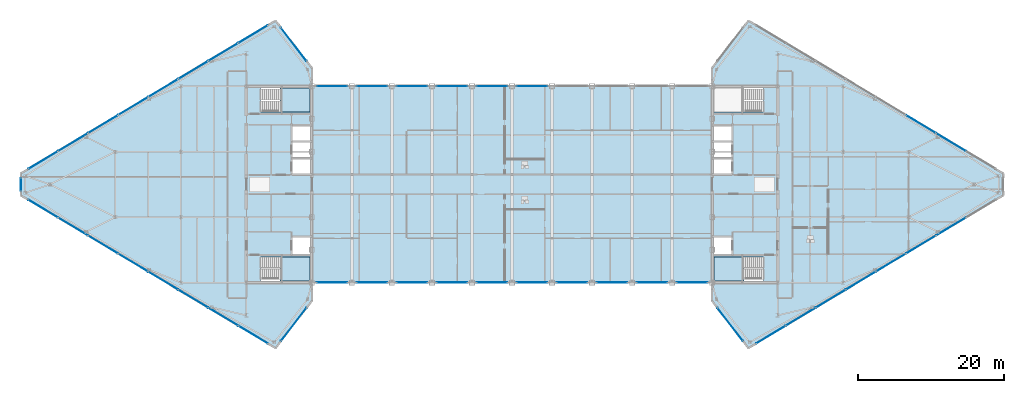
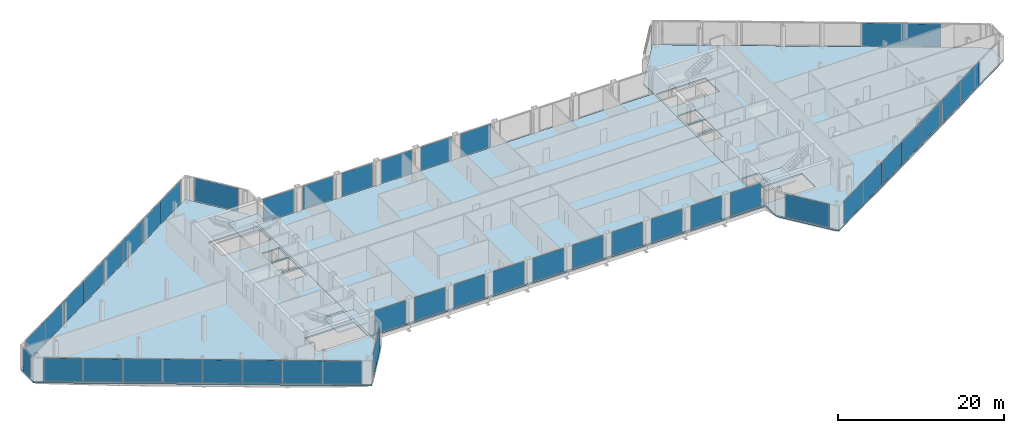
# One storey, part 19 of 28: 45 plates, 6 slabs, 27 elements without a shape of their own.
"""IFC4 building model written with IfcOpenShell, lengths in metres."""

from ifc_helpers import new_model, si_unit, direction, frame, origin, origin_2d, place, context, subcontext, project, spatial, polyline, rectangle, outline, extrude, source, transform, mapped, material, layer, layer_set, type_object, type_shapes, element, aggregate, save


model = new_model("IFC4")

# Units and contexts
model_context = context("Model", 3, precision=1e-05, world=origin(), true_north=direction((0.0, 1.0)))
body_context = subcontext(model_context, "Body", "Model", "MODEL_VIEW")
ifc_project = project(units=[si_unit("LENGTHUNIT", "METRE"), si_unit("AREAUNIT", "SQUARE_METRE"), si_unit("VOLUMEUNIT", "CUBIC_METRE"), si_unit("PLANEANGLEUNIT", "RADIAN"), si_unit("MASSUNIT", "GRAM", prefix="KILO")], contexts=[model_context])

# Site, building, storey
site_placement = place(None, origin())
site = spatial("IfcSite", under=ifc_project, at=site_placement, CompositionType="ELEMENT")
building_placement = place(site_placement, origin())
building = spatial("IfcBuilding", under=site, at=building_placement, Name="Seokmaru Belvedere", CompositionType="ELEMENT")
storey_placement = place(building_placement, frame((0.0, 0.0, 261.89990234375)))
storey = spatial("IfcBuildingStorey", under=building, at=storey_placement, Name="L69", CompositionType="ELEMENT", Elevation=261.89990234375)

# Stair, slab
ifc_material_1 = material(Name="Concrete C40 (40 MPa)", Category="concrete")
stair_type = type_object("IfcStairType", Name="Sky-Gate Residential Core Dog-Leg Stair 3750", PredefinedType="TWO_STRAIGHT_RUN_STAIR", material=ifc_material_1)
stair_1_placement = place(storey_placement, origin())
stair_1 = element("IfcStair", 1, at=stair_1_placement, inside=storey, type_object=stair_type, Name="L69 Special Escape Stair ST-W1", PredefinedType="TWO_STRAIGHT_RUN_STAIR")
ifc_layer_1 = layer(ifc_material_1, 0.199951171875)
ifc_layer_set_1 = layer_set([ifc_layer_1], Name="Concrete C40 (40 MPa)")
slab_type_1 = type_object("IfcSlabType", Name="Reinforced Concrete Stair Landing Slab 200", PredefinedType="LANDING", material=ifc_layer_set_1)
slab_1_placement = place(storey_placement, frame((0.0, 0.0, 1.675048828125)))
slab_1 = element("IfcSlab", 2, at=slab_1_placement, type_object=slab_type_1, Name="ST-W1 landing 1", PredefinedType="LANDING", context=body_context, shape_type="SweptSolid", body=[
    extrude(outline(polyline([(-31.8798828125, -13.239990234375), (-27.760009765625, -13.239990234375), (-27.760009765625, -9.949951171875), (-31.8798828125, -9.949951171875), (-31.8798828125, -13.239990234375)])), origin(), (0.0, 0.0, 1.0), 0.199951171875),
])
aggregate(stair_1, [slab_1])

stair_2_placement = place(storey_placement, origin())
stair_2 = element("IfcStair", 3, at=stair_2_placement, inside=storey, type_object=stair_type, Name="L69 Special Escape Stair ST-W2", PredefinedType="TWO_STRAIGHT_RUN_STAIR")
slab_2_placement = place(storey_placement, frame((0.0, 0.0, 1.675048828125)))
slab_2 = element("IfcSlab", 4, at=slab_2_placement, type_object=slab_type_1, Name="ST-W2 landing 1", PredefinedType="LANDING", context=body_context, shape_type="SweptSolid", body=[
    extrude(outline(polyline([(-31.8798828125, 9.949951171875), (-27.760009765625, 9.949951171875), (-27.760009765625, 13.239990234375), (-31.8798828125, 13.239990234375), (-31.8798828125, 9.949951171875)])), origin(), (0.0, 0.0, 1.0), 0.199951171875),
])
aggregate(stair_2, [slab_2])

stair_3_placement = place(storey_placement, origin())
stair_3 = element("IfcStair", 5, at=stair_3_placement, inside=storey, type_object=stair_type, Name="L69 Special Escape Stair ST-E1", PredefinedType="TWO_STRAIGHT_RUN_STAIR")
slab_3_placement = place(storey_placement, frame((0.0, 0.0, 1.675048828125)))
slab_3 = element("IfcSlab", 6, at=slab_3_placement, type_object=slab_type_1, Name="ST-E1 landing 1", PredefinedType="LANDING", context=body_context, shape_type="SweptSolid", body=[
    extrude(outline(polyline([(27.760009765625, -13.239990234375), (31.8798828125, -13.239990234375), (31.8798828125, -9.949951171875), (27.760009765625, -9.949951171875), (27.760009765625, -13.239990234375)])), origin(), (0.0, 0.0, 1.0), 0.199951171875),
])
aggregate(stair_3, [slab_3])

# Slabs
ifc_layer_2 = layer(ifc_material_1, 0.219970703125)
ifc_layer_set_2 = layer_set([ifc_layer_2], Name="Concrete C40 (40 MPa)")
slab_type_2 = type_object("IfcSlabType", Name="Typical Tower Composite Floor Slab 220", PredefinedType="FLOOR", material=ifc_layer_set_2)
slab_4_placement = place(storey_placement, frame((0.0, 0.0, -0.219970703125)))
element("IfcSlab", 7, at=slab_4_placement, inside=storey, type_object=slab_type_2, Name="L69 West Leg Floor Slab", PredefinedType="FLOOR", context=body_context, shape_type="SweptSolid", body=[
    extrude(outline(polyline([(-27.5, -16.0), (-27.5, 16.0), (-32.5, 22.5), (-67.5, 1.5), (-67.5, -1.5), (-32.5, -22.5), (-27.5, -16.0)]), holes=[polyline([(-34.60009765625, -13.25), (-27.75, -13.25), (-27.75, -9.949951171875), (-34.60009765625, -9.949951171875), (-34.60009765625, -13.25)]), polyline([(-34.60009765625, 9.949951171875), (-27.75, 9.949951171875), (-27.75, 13.25), (-34.60009765625, 13.25), (-34.60009765625, 9.949951171875)]), polyline([(-30.14990234375, -9.550048828125), (-27.75, -9.550048828125), (-27.75, -7.25), (-30.14990234375, -7.25), (-30.14990234375, -9.550048828125)]), polyline([(-30.14990234375, 1.449951171875), (-27.75, 1.449951171875), (-27.75, 3.449951171875), (-30.14990234375, 3.449951171875), (-30.14990234375, 1.449951171875)]), polyline([(-30.14990234375, 3.75), (-27.75, 3.75), (-27.75, 5.75), (-30.14990234375, 5.75), (-30.14990234375, 3.75)]), polyline([(-30.14990234375, 6.050048828125), (-27.75, 6.050048828125), (-27.75, 8.050048828125), (-30.14990234375, 8.050048828125), (-30.14990234375, 6.050048828125)])]), origin(), (0.0, 0.0, 1.0), 0.219970703125),
])
slab_5_placement = place(storey_placement, frame((0.0, 0.0, -0.219970703125)))
element("IfcSlab", 8, at=slab_5_placement, inside=storey, type_object=slab_type_2, Name="L69 East Leg Floor Slab", PredefinedType="FLOOR", context=body_context, shape_type="SweptSolid", body=[
    extrude(outline(polyline([(32.5, -22.5), (67.5, -1.5), (67.5, 1.5), (32.5, 22.5), (27.5, 16.0), (27.5, -16.0), (32.5, -22.5)]), holes=[polyline([(27.75, -13.25), (34.60009765625, -13.25), (34.60009765625, -9.949951171875), (27.75, -9.949951171875), (27.75, -13.25)]), polyline([(27.75, 9.949951171875), (34.60009765625, 9.949951171875), (34.60009765625, 13.25), (27.75, 13.25), (27.75, 9.949951171875)]), polyline([(27.75, -9.550048828125), (30.14990234375, -9.550048828125), (30.14990234375, -7.25), (27.75, -7.25), (27.75, -9.550048828125)]), polyline([(27.75, 1.449951171875), (30.14990234375, 1.449951171875), (30.14990234375, 3.449951171875), (27.75, 3.449951171875), (27.75, 1.449951171875)]), polyline([(27.75, 3.75), (30.14990234375, 3.75), (30.14990234375, 5.75), (27.75, 5.75), (27.75, 3.75)]), polyline([(27.75, 6.050048828125), (30.14990234375, 6.050048828125), (30.14990234375, 8.050048828125), (27.75, 8.050048828125), (27.75, 6.050048828125)])]), origin(), (0.0, 0.0, 1.0), 0.219970703125),
])
slab_6_placement = place(storey_placement, frame((0.0, 0.0, -0.219970703125)))
element("IfcSlab", 9, at=slab_6_placement, inside=storey, type_object=slab_type_2, Name="L69 Sky-Gate Bridge Floor Slab", PredefinedType="FLOOR", context=body_context, shape_type="SweptSolid", body=[
    extrude(outline(polyline([(-27.5, -13.5), (27.5, -13.5), (27.5, 13.5), (-27.5, 13.5), (-27.5, -13.5)])), origin(), (0.0, 0.0, 1.0), 0.219970703125),
])

# Curtain wall, plate
ifc_material_2 = material(Name="Bronze Triple Insulating Glass", Category="glass")
ifc_layer_3 = layer(ifc_material_2, 0.219970703125)
ifc_layer_set_3 = layer_set([ifc_layer_3], Name="Bronze Triple Insulating Glass")
curtain_wall_type = type_object("IfcCurtainWallType", Name="Sky-Gate Bridge Panorama Curtain Wall System CW-6", PredefinedType="NOTDEFINED", material=ifc_layer_set_3)
curtain_wall_1_placement = place(storey_placement, origin())
curtain_wall_1 = element("IfcCurtainWall", 10, at=curtain_wall_1_placement, inside=storey, type_object=curtain_wall_type, Name="L69 Curtain Wall WF2", PredefinedType="NOTDEFINED")
ifc_layer_4 = layer(ifc_material_2, 0.0419921875)
ifc_layer_set_4 = layer_set([ifc_layer_4], Name="Bronze Triple Insulating Glass")
plate_type = type_object("IfcPlateType", Name="Acoustic Laminated Panorama Glazing Panel 42", PredefinedType="CURTAIN_PANEL", material=ifc_layer_set_4)
shared_shape_1 = source(origin(), body_context, "Body", "SweptSolid", [
    extrude(rectangle(XDim=5.740478515625, YDim=0.0419921875, at=origin_2d()), origin(), (0.0, 0.0, 1.0), 3.3798828125),
])
plate_1_placement = place(storey_placement, frame((-30.0, 19.25, 0.0751953125), z_axis=(0.0, 0.0, 1.0), x_axis=(-0.609701187349, 0.792631353244, 0.0)))
plate_1 = element("IfcPlate", 11, at=plate_1_placement, type_object=plate_type, Name="CW:L69:WF2 Glazing Panel 1-1", PredefinedType="CURTAIN_PANEL", context=body_context, shape_type="MappedRepresentation", body=[
    mapped(shared_shape_1, transform((0.0, 0.0, 0.0), scale=1.0)),
])
aggregate(curtain_wall_1, [plate_1])

curtain_wall_2_placement = place(storey_placement, origin())
curtain_wall_2 = element("IfcCurtainWall", 12, at=curtain_wall_2_placement, inside=storey, type_object=curtain_wall_type, Name="L69 Curtain Wall WF6", PredefinedType="NOTDEFINED")
plate_2_placement = place(storey_placement, frame((-30.0, -19.25, 0.0751953125), z_axis=(0.0, 0.0, 1.0), x_axis=(0.609701187349, 0.792631353244, 0.0)))
plate_2 = element("IfcPlate", 13, at=plate_2_placement, type_object=plate_type, Name="CW:L69:WF6 Glazing Panel 1-1", PredefinedType="CURTAIN_PANEL", context=body_context, shape_type="MappedRepresentation", body=[
    mapped(shared_shape_1, transform((0.0, 0.0, 0.0), scale=1.0)),
])
aggregate(curtain_wall_2, [plate_2])

curtain_wall_3_placement = place(storey_placement, origin())
curtain_wall_3 = element("IfcCurtainWall", 14, at=curtain_wall_3_placement, inside=storey, type_object=curtain_wall_type, Name="L69 Curtain Wall EF6", PredefinedType="NOTDEFINED")
plate_3_placement = place(storey_placement, frame((30.0, -19.25, 0.0751953125), z_axis=(0.0, 0.0, 1.0), x_axis=(0.609701187349, -0.792631353244, 0.0)))
plate_3 = element("IfcPlate", 15, at=plate_3_placement, type_object=plate_type, Name="CW:L69:EF6 Glazing Panel 1-1", PredefinedType="CURTAIN_PANEL", context=body_context, shape_type="MappedRepresentation", body=[
    mapped(shared_shape_1, transform((0.0, 0.0, 0.0), scale=1.0)),
])
aggregate(curtain_wall_3, [plate_3])

# Curtain wall, plates
curtain_wall_4_placement = place(storey_placement, origin())
curtain_wall_4 = element("IfcCurtainWall", 16, at=curtain_wall_4_placement, inside=storey, type_object=curtain_wall_type, Name="L69 Curtain Wall WF3", PredefinedType="NOTDEFINED")
shared_shape_2 = source(origin(), body_context, "Body", "SweptSolid", [
    extrude(rectangle(XDim=4.694580078125, YDim=0.0419921875, at=origin_2d()), origin(), (0.0, 0.0, 1.0), 3.3798828125),
])
plate_4_placement = place(storey_placement, frame((-35.5673828125, 20.659423828125, 0.0751953125), z_axis=(0.0, 0.0, 1.0), x_axis=(-0.85749343335, -0.514494909364, 0.0)))
plate_4 = element("IfcPlate", 17, at=plate_4_placement, type_object=plate_type, Name="CW:L69:WF3 Glazing Panel 1-1", PredefinedType="CURTAIN_PANEL", context=body_context, shape_type="MappedRepresentation", body=[
    mapped(shared_shape_2, transform((0.0, 0.0, 0.0), scale=1.0)),
])
plate_5_placement = place(storey_placement, frame((-64.4326171875, 3.340576171875, 0.0751953125), z_axis=(0.0, 0.0, 1.0), x_axis=(-0.85749343335, -0.514494909364, 0.0)))
plate_5 = element("IfcPlate", 18, at=plate_5_placement, type_object=plate_type, Name="CW:L69:WF3 Glazing Panel 8-1", PredefinedType="CURTAIN_PANEL", context=body_context, shape_type="MappedRepresentation", body=[
    mapped(shared_shape_2, transform((0.0, 0.0, 0.0), scale=1.0)),
])

curtain_wall_5_placement = place(storey_placement, origin())
curtain_wall_5 = element("IfcCurtainWall", 19, at=curtain_wall_5_placement, inside=storey, type_object=curtain_wall_type, Name="L69 Curtain Wall WF5", PredefinedType="NOTDEFINED")
plate_6_placement = place(storey_placement, frame((-64.4326171875, -3.340576171875, 0.0751953125), z_axis=(0.0, 0.0, 1.0), x_axis=(0.85749343335, -0.514494909364, 0.0)))
plate_6 = element("IfcPlate", 20, at=plate_6_placement, type_object=plate_type, Name="CW:L69:WF5 Glazing Panel 1-1", PredefinedType="CURTAIN_PANEL", context=body_context, shape_type="MappedRepresentation", body=[
    mapped(shared_shape_2, transform((0.0, 0.0, 0.0), scale=1.0)),
])
plate_7_placement = place(storey_placement, frame((-35.5673828125, -20.659423828125, 0.0751953125), z_axis=(0.0, 0.0, 1.0), x_axis=(0.85749343335, -0.514494909364, 0.0)))
plate_7 = element("IfcPlate", 21, at=plate_7_placement, type_object=plate_type, Name="CW:L69:WF5 Glazing Panel 8-1", PredefinedType="CURTAIN_PANEL", context=body_context, shape_type="MappedRepresentation", body=[
    mapped(shared_shape_2, transform((0.0, 0.0, 0.0), scale=1.0)),
])

# Curtain wall, plate
curtain_wall_6_placement = place(storey_placement, origin())
curtain_wall_6 = element("IfcCurtainWall", 22, at=curtain_wall_6_placement, inside=storey, type_object=curtain_wall_type, Name="L69 Curtain Wall EF1", PredefinedType="NOTDEFINED")
plate_8_placement = place(storey_placement, frame((35.5673828125, -20.659423828125, 0.0751953125), z_axis=(0.0, 0.0, 1.0), x_axis=(0.85749343335, 0.514494909364, 0.0)))
plate_8 = element("IfcPlate", 23, at=plate_8_placement, type_object=plate_type, Name="CW:L69:EF1 Glazing Panel 1-1", PredefinedType="CURTAIN_PANEL", context=body_context, shape_type="MappedRepresentation", body=[
    mapped(shared_shape_2, transform((0.0, 0.0, 0.0), scale=1.0)),
])

# Plate
shared_shape_3 = source(origin(), body_context, "Body", "SweptSolid", [
    extrude(rectangle(XDim=4.734619140625, YDim=0.0419921875, at=origin_2d()), origin(), (0.0, 0.0, 1.0), 3.3798828125),
])
plate_9_placement = place(storey_placement, frame((-39.6787109375, 18.192626953125, 0.0751953125), z_axis=(0.0, 0.0, 1.0), x_axis=(-0.85749343335, -0.514494909364, 0.0)))
plate_9 = element("IfcPlate", 24, at=plate_9_placement, type_object=plate_type, Name="CW:L69:WF3 Glazing Panel 2-1", PredefinedType="CURTAIN_PANEL", context=body_context, shape_type="MappedRepresentation", body=[
    mapped(shared_shape_3, transform((0.0, 0.0, 0.0), scale=1.0)),
])

plate_10_placement = place(storey_placement, frame((-43.807373046875, 15.715576171875, 0.0751953125), z_axis=(0.0, 0.0, 1.0), x_axis=(-0.85749343335, -0.514494909364, 0.0)))
plate_10 = element("IfcPlate", 25, at=plate_10_placement, type_object=plate_type, Name="CW:L69:WF3 Glazing Panel 3-1", PredefinedType="CURTAIN_PANEL", context=body_context, shape_type="MappedRepresentation", body=[
    mapped(shared_shape_3, transform((0.0, 0.0, 0.0), scale=1.0)),
])

plate_11_placement = place(storey_placement, frame((-47.935791015625, 13.238525390625, 0.0751953125), z_axis=(0.0, 0.0, 1.0), x_axis=(-0.85749343335, -0.514494909364, 0.0)))
plate_11 = element("IfcPlate", 26, at=plate_11_placement, type_object=plate_type, Name="CW:L69:WF3 Glazing Panel 4-1", PredefinedType="CURTAIN_PANEL", context=body_context, shape_type="MappedRepresentation", body=[
    mapped(shared_shape_3, transform((0.0, 0.0, 0.0), scale=1.0)),
])

plate_12_placement = place(storey_placement, frame((-52.064208984375, 10.761474609375, 0.0751953125), z_axis=(0.0, 0.0, 1.0), x_axis=(-0.85749343335, -0.514494909364, 0.0)))
plate_12 = element("IfcPlate", 27, at=plate_12_placement, type_object=plate_type, Name="CW:L69:WF3 Glazing Panel 5-1", PredefinedType="CURTAIN_PANEL", context=body_context, shape_type="MappedRepresentation", body=[
    mapped(shared_shape_3, transform((0.0, 0.0, 0.0), scale=1.0)),
])

plate_13_placement = place(storey_placement, frame((-56.192626953125, 8.284423828125, 0.0751953125), z_axis=(0.0, 0.0, 1.0), x_axis=(-0.85749343335, -0.514494909364, 0.0)))
plate_13 = element("IfcPlate", 28, at=plate_13_placement, type_object=plate_type, Name="CW:L69:WF3 Glazing Panel 6-1", PredefinedType="CURTAIN_PANEL", context=body_context, shape_type="MappedRepresentation", body=[
    mapped(shared_shape_3, transform((0.0, 0.0, 0.0), scale=1.0)),
])

plate_14_placement = place(storey_placement, frame((-60.3212890625, 5.807373046875, 0.0751953125), z_axis=(0.0, 0.0, 1.0), x_axis=(-0.85749343335, -0.514494909364, 0.0)))
plate_14 = element("IfcPlate", 29, at=plate_14_placement, type_object=plate_type, Name="CW:L69:WF3 Glazing Panel 7-1", PredefinedType="CURTAIN_PANEL", context=body_context, shape_type="MappedRepresentation", body=[
    mapped(shared_shape_3, transform((0.0, 0.0, 0.0), scale=1.0)),
])

aggregate(curtain_wall_4, [plate_4, plate_9, plate_10, plate_11, plate_12, plate_13, plate_14, plate_5])

plate_15_placement = place(storey_placement, frame((-60.3212890625, -5.807373046875, 0.0751953125), z_axis=(0.0, 0.0, 1.0), x_axis=(0.85749343335, -0.514494909364, 0.0)))
plate_15 = element("IfcPlate", 30, at=plate_15_placement, type_object=plate_type, Name="CW:L69:WF5 Glazing Panel 2-1", PredefinedType="CURTAIN_PANEL", context=body_context, shape_type="MappedRepresentation", body=[
    mapped(shared_shape_3, transform((0.0, 0.0, 0.0), scale=1.0)),
])

plate_16_placement = place(storey_placement, frame((-56.192626953125, -8.284423828125, 0.0751953125), z_axis=(0.0, 0.0, 1.0), x_axis=(0.85749343335, -0.514494909364, 0.0)))
plate_16 = element("IfcPlate", 31, at=plate_16_placement, type_object=plate_type, Name="CW:L69:WF5 Glazing Panel 3-1", PredefinedType="CURTAIN_PANEL", context=body_context, shape_type="MappedRepresentation", body=[
    mapped(shared_shape_3, transform((0.0, 0.0, 0.0), scale=1.0)),
])

plate_17_placement = place(storey_placement, frame((-52.064208984375, -10.761474609375, 0.0751953125), z_axis=(0.0, 0.0, 1.0), x_axis=(0.85749343335, -0.514494909364, 0.0)))
plate_17 = element("IfcPlate", 32, at=plate_17_placement, type_object=plate_type, Name="CW:L69:WF5 Glazing Panel 4-1", PredefinedType="CURTAIN_PANEL", context=body_context, shape_type="MappedRepresentation", body=[
    mapped(shared_shape_3, transform((0.0, 0.0, 0.0), scale=1.0)),
])

plate_18_placement = place(storey_placement, frame((-47.935791015625, -13.238525390625, 0.0751953125), z_axis=(0.0, 0.0, 1.0), x_axis=(0.85749343335, -0.514494909364, 0.0)))
plate_18 = element("IfcPlate", 33, at=plate_18_placement, type_object=plate_type, Name="CW:L69:WF5 Glazing Panel 5-1", PredefinedType="CURTAIN_PANEL", context=body_context, shape_type="MappedRepresentation", body=[
    mapped(shared_shape_3, transform((0.0, 0.0, 0.0), scale=1.0)),
])

plate_19_placement = place(storey_placement, frame((-43.807373046875, -15.715576171875, 0.0751953125), z_axis=(0.0, 0.0, 1.0), x_axis=(0.85749343335, -0.514494909364, 0.0)))
plate_19 = element("IfcPlate", 34, at=plate_19_placement, type_object=plate_type, Name="CW:L69:WF5 Glazing Panel 6-1", PredefinedType="CURTAIN_PANEL", context=body_context, shape_type="MappedRepresentation", body=[
    mapped(shared_shape_3, transform((0.0, 0.0, 0.0), scale=1.0)),
])

plate_20_placement = place(storey_placement, frame((-39.6787109375, -18.192626953125, 0.0751953125), z_axis=(0.0, 0.0, 1.0), x_axis=(0.85749343335, -0.514494909364, 0.0)))
plate_20 = element("IfcPlate", 35, at=plate_20_placement, type_object=plate_type, Name="CW:L69:WF5 Glazing Panel 7-1", PredefinedType="CURTAIN_PANEL", context=body_context, shape_type="MappedRepresentation", body=[
    mapped(shared_shape_3, transform((0.0, 0.0, 0.0), scale=1.0)),
])

aggregate(curtain_wall_5, [plate_6, plate_15, plate_16, plate_17, plate_18, plate_19, plate_20, plate_7])

plate_21_placement = place(storey_placement, frame((39.6787109375, -18.192626953125, 0.0751953125), z_axis=(0.0, 0.0, 1.0), x_axis=(0.85749343335, 0.514494909364, 0.0)))
plate_21 = element("IfcPlate", 36, at=plate_21_placement, type_object=plate_type, Name="CW:L69:EF1 Glazing Panel 2-1", PredefinedType="CURTAIN_PANEL", context=body_context, shape_type="MappedRepresentation", body=[
    mapped(shared_shape_3, transform((0.0, 0.0, 0.0), scale=1.0)),
])

plate_22_placement = place(storey_placement, frame((43.807373046875, -15.715576171875, 0.0751953125), z_axis=(0.0, 0.0, 1.0), x_axis=(0.85749343335, 0.514494909364, 0.0)))
plate_22 = element("IfcPlate", 37, at=plate_22_placement, type_object=plate_type, Name="CW:L69:EF1 Glazing Panel 3-1", PredefinedType="CURTAIN_PANEL", context=body_context, shape_type="MappedRepresentation", body=[
    mapped(shared_shape_3, transform((0.0, 0.0, 0.0), scale=1.0)),
])

plate_23_placement = place(storey_placement, frame((47.935791015625, -13.238525390625, 0.0751953125), z_axis=(0.0, 0.0, 1.0), x_axis=(0.85749343335, 0.514494909364, 0.0)))
plate_23 = element("IfcPlate", 38, at=plate_23_placement, type_object=plate_type, Name="CW:L69:EF1 Glazing Panel 4-1", PredefinedType="CURTAIN_PANEL", context=body_context, shape_type="MappedRepresentation", body=[
    mapped(shared_shape_3, transform((0.0, 0.0, 0.0), scale=1.0)),
])

plate_24_placement = place(storey_placement, frame((52.064208984375, -10.761474609375, 0.0751953125), z_axis=(0.0, 0.0, 1.0), x_axis=(0.85749343335, 0.514494909364, 0.0)))
plate_24 = element("IfcPlate", 39, at=plate_24_placement, type_object=plate_type, Name="CW:L69:EF1 Glazing Panel 5-1", PredefinedType="CURTAIN_PANEL", context=body_context, shape_type="MappedRepresentation", body=[
    mapped(shared_shape_3, transform((0.0, 0.0, 0.0), scale=1.0)),
])

plate_25_placement = place(storey_placement, frame((56.192626953125, -8.284423828125, 0.0751953125), z_axis=(0.0, 0.0, 1.0), x_axis=(0.85749343335, 0.514494909364, 0.0)))
plate_25 = element("IfcPlate", 40, at=plate_25_placement, type_object=plate_type, Name="CW:L69:EF1 Glazing Panel 6-1", PredefinedType="CURTAIN_PANEL", context=body_context, shape_type="MappedRepresentation", body=[
    mapped(shared_shape_3, transform((0.0, 0.0, 0.0), scale=1.0)),
])

plate_26_placement = place(storey_placement, frame((60.3212890625, -5.807373046875, 0.0751953125), z_axis=(0.0, 0.0, 1.0), x_axis=(0.85749343335, 0.514494909364, 0.0)))
plate_26 = element("IfcPlate", 41, at=plate_26_placement, type_object=plate_type, Name="CW:L69:EF1 Glazing Panel 7-1", PredefinedType="CURTAIN_PANEL", context=body_context, shape_type="MappedRepresentation", body=[
    mapped(shared_shape_3, transform((0.0, 0.0, 0.0), scale=1.0)),
])

aggregate(curtain_wall_6, [plate_8, plate_21, plate_22, plate_23, plate_24, plate_25, plate_26])

# Curtain wall, plates
curtain_wall_7_placement = place(storey_placement, origin())
curtain_wall_7 = element("IfcCurtainWall", 42, at=curtain_wall_7_placement, inside=storey, type_object=curtain_wall_type, Name="L69 Curtain Wall EF3", PredefinedType="NOTDEFINED")
plate_27_placement = place(storey_placement, frame((60.3212890625, 5.807373046875, 0.0751953125), z_axis=(0.0, 0.0, 1.0), x_axis=(-0.85749343335, 0.514494909364, 0.0)))
plate_27 = element("IfcPlate", 43, at=plate_27_placement, type_object=plate_type, Name="CW:L69:EF3 Glazing Panel 2-1", PredefinedType="CURTAIN_PANEL", context=body_context, shape_type="MappedRepresentation", body=[
    mapped(shared_shape_3, transform((0.0, 0.0, 0.0), scale=1.0)),
])
plate_28_placement = place(storey_placement, frame((56.192626953125, 8.284423828125, 0.0751953125), z_axis=(0.0, 0.0, 1.0), x_axis=(-0.85749343335, 0.514494909364, 0.0)))
plate_28 = element("IfcPlate", 44, at=plate_28_placement, type_object=plate_type, Name="CW:L69:EF3 Glazing Panel 3-1", PredefinedType="CURTAIN_PANEL", context=body_context, shape_type="MappedRepresentation", body=[
    mapped(shared_shape_3, transform((0.0, 0.0, 0.0), scale=1.0)),
])
aggregate(curtain_wall_7, [plate_27, plate_28])

# Curtain wall, plate
curtain_wall_8_placement = place(storey_placement, origin())
curtain_wall_8 = element("IfcCurtainWall", 45, at=curtain_wall_8_placement, inside=storey, type_object=curtain_wall_type, Name="L69 Curtain Wall WF4", PredefinedType="NOTDEFINED")
shared_shape_4 = source(origin(), body_context, "Body", "SweptSolid", [
    extrude(rectangle(XDim=1.739990234375, YDim=0.0419921875, at=origin_2d()), origin(), (0.0, 0.0, 1.0), 3.3798828125),
])
plate_29_placement = place(storey_placement, frame((-67.5, 0.0, 0.0751953125), z_axis=(0.0, 0.0, 1.0), x_axis=(0.0, -1.0, 0.0)))
plate_29 = element("IfcPlate", 46, at=plate_29_placement, type_object=plate_type, Name="CW:L69:WF4 Glazing Panel 1-1", PredefinedType="CURTAIN_PANEL", context=body_context, shape_type="MappedRepresentation", body=[
    mapped(shared_shape_4, transform((0.0, 0.0, 0.0), scale=1.0)),
])
aggregate(curtain_wall_8, [plate_29])

curtain_wall_9_placement = place(storey_placement, origin())
curtain_wall_9 = element("IfcCurtainWall", 47, at=curtain_wall_9_placement, inside=storey, type_object=curtain_wall_type, Name="L69 Curtain Wall BR_S01", PredefinedType="NOTDEFINED")
shared_shape_5 = source(origin(), body_context, "Body", "SweptSolid", [
    extrude(rectangle(XDim=4.239990234375, YDim=0.0419921875, at=origin_2d()), origin(), (0.0, 0.0, 1.0), 3.3798828125),
])
type_shapes(plate_type, [shared_shape_1, shared_shape_2, shared_shape_3, shared_shape_4, shared_shape_5])
plate_30_placement = place(storey_placement, frame((-24.75, -13.5, 0.0751953125), z_axis=(0.0, 0.0, 1.0), x_axis=(1.0, 0.0, 0.0)))
plate_30 = element("IfcPlate", 48, at=plate_30_placement, type_object=plate_type, Name="CW:L69:BR_S01 Glazing Panel 1-1", PredefinedType="CURTAIN_PANEL", context=body_context, shape_type="MappedRepresentation", body=[
    mapped(shared_shape_5, transform((0.0, 0.0, 0.0), scale=1.0)),
])
aggregate(curtain_wall_9, [plate_30])

curtain_wall_10_placement = place(storey_placement, origin())
curtain_wall_10 = element("IfcCurtainWall", 49, at=curtain_wall_10_placement, inside=storey, type_object=curtain_wall_type, Name="L69 Curtain Wall BR_N01", PredefinedType="NOTDEFINED")
plate_31_placement = place(storey_placement, frame((-24.75, 13.5, 0.0751953125), z_axis=(0.0, 0.0, 1.0), x_axis=(-1.0, 0.0, 0.0)))
plate_31 = element("IfcPlate", 50, at=plate_31_placement, type_object=plate_type, Name="CW:L69:BR_N01 Glazing Panel 1-1", PredefinedType="CURTAIN_PANEL", context=body_context, shape_type="MappedRepresentation", body=[
    mapped(shared_shape_5, transform((0.0, 0.0, 0.0), scale=1.0)),
])
aggregate(curtain_wall_10, [plate_31])

curtain_wall_11_placement = place(storey_placement, origin())
curtain_wall_11 = element("IfcCurtainWall", 51, at=curtain_wall_11_placement, inside=storey, type_object=curtain_wall_type, Name="L69 Curtain Wall BR_S02", PredefinedType="NOTDEFINED")
plate_32_placement = place(storey_placement, frame((-19.25, -13.5, 0.0751953125), z_axis=(0.0, 0.0, 1.0), x_axis=(1.0, 0.0, 0.0)))
plate_32 = element("IfcPlate", 52, at=plate_32_placement, type_object=plate_type, Name="CW:L69:BR_S02 Glazing Panel 1-1", PredefinedType="CURTAIN_PANEL", context=body_context, shape_type="MappedRepresentation", body=[
    mapped(shared_shape_5, transform((0.0, 0.0, 0.0), scale=1.0)),
])
aggregate(curtain_wall_11, [plate_32])

curtain_wall_12_placement = place(storey_placement, origin())
curtain_wall_12 = element("IfcCurtainWall", 53, at=curtain_wall_12_placement, inside=storey, type_object=curtain_wall_type, Name="L69 Curtain Wall BR_N02", PredefinedType="NOTDEFINED")
plate_33_placement = place(storey_placement, frame((-19.25, 13.5, 0.0751953125), z_axis=(0.0, 0.0, 1.0), x_axis=(-1.0, 0.0, 0.0)))
plate_33 = element("IfcPlate", 54, at=plate_33_placement, type_object=plate_type, Name="CW:L69:BR_N02 Glazing Panel 1-1", PredefinedType="CURTAIN_PANEL", context=body_context, shape_type="MappedRepresentation", body=[
    mapped(shared_shape_5, transform((0.0, 0.0, 0.0), scale=1.0)),
])
aggregate(curtain_wall_12, [plate_33])

curtain_wall_13_placement = place(storey_placement, origin())
curtain_wall_13 = element("IfcCurtainWall", 55, at=curtain_wall_13_placement, inside=storey, type_object=curtain_wall_type, Name="L69 Curtain Wall BR_S03", PredefinedType="NOTDEFINED")
plate_34_placement = place(storey_placement, frame((-13.75, -13.5, 0.0751953125), z_axis=(0.0, 0.0, 1.0), x_axis=(1.0, 0.0, 0.0)))
plate_34 = element("IfcPlate", 56, at=plate_34_placement, type_object=plate_type, Name="CW:L69:BR_S03 Glazing Panel 1-1", PredefinedType="CURTAIN_PANEL", context=body_context, shape_type="MappedRepresentation", body=[
    mapped(shared_shape_5, transform((0.0, 0.0, 0.0), scale=1.0)),
])
aggregate(curtain_wall_13, [plate_34])

curtain_wall_14_placement = place(storey_placement, origin())
curtain_wall_14 = element("IfcCurtainWall", 57, at=curtain_wall_14_placement, inside=storey, type_object=curtain_wall_type, Name="L69 Curtain Wall BR_N03", PredefinedType="NOTDEFINED")
plate_35_placement = place(storey_placement, frame((-13.75, 13.5, 0.0751953125), z_axis=(0.0, 0.0, 1.0), x_axis=(-1.0, 0.0, 0.0)))
plate_35 = element("IfcPlate", 58, at=plate_35_placement, type_object=plate_type, Name="CW:L69:BR_N03 Glazing Panel 1-1", PredefinedType="CURTAIN_PANEL", context=body_context, shape_type="MappedRepresentation", body=[
    mapped(shared_shape_5, transform((0.0, 0.0, 0.0), scale=1.0)),
])
aggregate(curtain_wall_14, [plate_35])

curtain_wall_15_placement = place(storey_placement, origin())
curtain_wall_15 = element("IfcCurtainWall", 59, at=curtain_wall_15_placement, inside=storey, type_object=curtain_wall_type, Name="L69 Curtain Wall BR_S04", PredefinedType="NOTDEFINED")
plate_36_placement = place(storey_placement, frame((-8.25, -13.5, 0.0751953125), z_axis=(0.0, 0.0, 1.0), x_axis=(1.0, 0.0, 0.0)))
plate_36 = element("IfcPlate", 60, at=plate_36_placement, type_object=plate_type, Name="CW:L69:BR_S04 Glazing Panel 1-1", PredefinedType="CURTAIN_PANEL", context=body_context, shape_type="MappedRepresentation", body=[
    mapped(shared_shape_5, transform((0.0, 0.0, 0.0), scale=1.0)),
])
aggregate(curtain_wall_15, [plate_36])

curtain_wall_16_placement = place(storey_placement, origin())
curtain_wall_16 = element("IfcCurtainWall", 61, at=curtain_wall_16_placement, inside=storey, type_object=curtain_wall_type, Name="L69 Curtain Wall BR_N04", PredefinedType="NOTDEFINED")
plate_37_placement = place(storey_placement, frame((-8.25, 13.5, 0.0751953125), z_axis=(0.0, 0.0, 1.0), x_axis=(-1.0, 0.0, 0.0)))
plate_37 = element("IfcPlate", 62, at=plate_37_placement, type_object=plate_type, Name="CW:L69:BR_N04 Glazing Panel 1-1", PredefinedType="CURTAIN_PANEL", context=body_context, shape_type="MappedRepresentation", body=[
    mapped(shared_shape_5, transform((0.0, 0.0, 0.0), scale=1.0)),
])
aggregate(curtain_wall_16, [plate_37])

curtain_wall_17_placement = place(storey_placement, origin())
curtain_wall_17 = element("IfcCurtainWall", 63, at=curtain_wall_17_placement, inside=storey, type_object=curtain_wall_type, Name="L69 Curtain Wall BR_S05", PredefinedType="NOTDEFINED")
plate_38_placement = place(storey_placement, frame((-2.75, -13.5, 0.0751953125), z_axis=(0.0, 0.0, 1.0), x_axis=(1.0, 0.0, 0.0)))
plate_38 = element("IfcPlate", 64, at=plate_38_placement, type_object=plate_type, Name="CW:L69:BR_S05 Glazing Panel 1-1", PredefinedType="CURTAIN_PANEL", context=body_context, shape_type="MappedRepresentation", body=[
    mapped(shared_shape_5, transform((0.0, 0.0, 0.0), scale=1.0)),
])
aggregate(curtain_wall_17, [plate_38])

curtain_wall_18_placement = place(storey_placement, origin())
curtain_wall_18 = element("IfcCurtainWall", 65, at=curtain_wall_18_placement, inside=storey, type_object=curtain_wall_type, Name="L69 Curtain Wall BR_N05", PredefinedType="NOTDEFINED")
plate_39_placement = place(storey_placement, frame((-2.75, 13.5, 0.0751953125), z_axis=(0.0, 0.0, 1.0), x_axis=(-1.0, 0.0, 0.0)))
plate_39 = element("IfcPlate", 66, at=plate_39_placement, type_object=plate_type, Name="CW:L69:BR_N05 Glazing Panel 1-1", PredefinedType="CURTAIN_PANEL", context=body_context, shape_type="MappedRepresentation", body=[
    mapped(shared_shape_5, transform((0.0, 0.0, 0.0), scale=1.0)),
])
aggregate(curtain_wall_18, [plate_39])

curtain_wall_19_placement = place(storey_placement, origin())
curtain_wall_19 = element("IfcCurtainWall", 67, at=curtain_wall_19_placement, inside=storey, type_object=curtain_wall_type, Name="L69 Curtain Wall BR_S06", PredefinedType="NOTDEFINED")
plate_40_placement = place(storey_placement, frame((2.75, -13.5, 0.0751953125), z_axis=(0.0, 0.0, 1.0), x_axis=(1.0, 0.0, 0.0)))
plate_40 = element("IfcPlate", 68, at=plate_40_placement, type_object=plate_type, Name="CW:L69:BR_S06 Glazing Panel 1-1", PredefinedType="CURTAIN_PANEL", context=body_context, shape_type="MappedRepresentation", body=[
    mapped(shared_shape_5, transform((0.0, 0.0, 0.0), scale=1.0)),
])
aggregate(curtain_wall_19, [plate_40])

curtain_wall_20_placement = place(storey_placement, origin())
curtain_wall_20 = element("IfcCurtainWall", 69, at=curtain_wall_20_placement, inside=storey, type_object=curtain_wall_type, Name="L69 Curtain Wall BR_N06", PredefinedType="NOTDEFINED")
plate_41_placement = place(storey_placement, frame((2.75, 13.5, 0.0751953125), z_axis=(0.0, 0.0, 1.0), x_axis=(-1.0, 0.0, 0.0)))
plate_41 = element("IfcPlate", 70, at=plate_41_placement, type_object=plate_type, Name="CW:L69:BR_N06 Glazing Panel 1-1", PredefinedType="CURTAIN_PANEL", context=body_context, shape_type="MappedRepresentation", body=[
    mapped(shared_shape_5, transform((0.0, 0.0, 0.0), scale=1.0)),
])
aggregate(curtain_wall_20, [plate_41])

curtain_wall_21_placement = place(storey_placement, origin())
curtain_wall_21 = element("IfcCurtainWall", 71, at=curtain_wall_21_placement, inside=storey, type_object=curtain_wall_type, Name="L69 Curtain Wall BR_S07", PredefinedType="NOTDEFINED")
plate_42_placement = place(storey_placement, frame((8.25, -13.5, 0.0751953125), z_axis=(0.0, 0.0, 1.0), x_axis=(1.0, 0.0, 0.0)))
plate_42 = element("IfcPlate", 72, at=plate_42_placement, type_object=plate_type, Name="CW:L69:BR_S07 Glazing Panel 1-1", PredefinedType="CURTAIN_PANEL", context=body_context, shape_type="MappedRepresentation", body=[
    mapped(shared_shape_5, transform((0.0, 0.0, 0.0), scale=1.0)),
])
aggregate(curtain_wall_21, [plate_42])

curtain_wall_22_placement = place(storey_placement, origin())
curtain_wall_22 = element("IfcCurtainWall", 73, at=curtain_wall_22_placement, inside=storey, type_object=curtain_wall_type, Name="L69 Curtain Wall BR_S08", PredefinedType="NOTDEFINED")
plate_43_placement = place(storey_placement, frame((13.75, -13.5, 0.0751953125), z_axis=(0.0, 0.0, 1.0), x_axis=(1.0, 0.0, 0.0)))
plate_43 = element("IfcPlate", 74, at=plate_43_placement, type_object=plate_type, Name="CW:L69:BR_S08 Glazing Panel 1-1", PredefinedType="CURTAIN_PANEL", context=body_context, shape_type="MappedRepresentation", body=[
    mapped(shared_shape_5, transform((0.0, 0.0, 0.0), scale=1.0)),
])
aggregate(curtain_wall_22, [plate_43])

curtain_wall_23_placement = place(storey_placement, origin())
curtain_wall_23 = element("IfcCurtainWall", 75, at=curtain_wall_23_placement, inside=storey, type_object=curtain_wall_type, Name="L69 Curtain Wall BR_S09", PredefinedType="NOTDEFINED")
plate_44_placement = place(storey_placement, frame((19.25, -13.5, 0.0751953125), z_axis=(0.0, 0.0, 1.0), x_axis=(1.0, 0.0, 0.0)))
plate_44 = element("IfcPlate", 76, at=plate_44_placement, type_object=plate_type, Name="CW:L69:BR_S09 Glazing Panel 1-1", PredefinedType="CURTAIN_PANEL", context=body_context, shape_type="MappedRepresentation", body=[
    mapped(shared_shape_5, transform((0.0, 0.0, 0.0), scale=1.0)),
])
aggregate(curtain_wall_23, [plate_44])

curtain_wall_24_placement = place(storey_placement, origin())
curtain_wall_24 = element("IfcCurtainWall", 77, at=curtain_wall_24_placement, inside=storey, type_object=curtain_wall_type, Name="L69 Curtain Wall BR_S10", PredefinedType="NOTDEFINED")
plate_45_placement = place(storey_placement, frame((24.75, -13.5, 0.0751953125), z_axis=(0.0, 0.0, 1.0), x_axis=(1.0, 0.0, 0.0)))
plate_45 = element("IfcPlate", 78, at=plate_45_placement, type_object=plate_type, Name="CW:L69:BR_S10 Glazing Panel 1-1", PredefinedType="CURTAIN_PANEL", context=body_context, shape_type="MappedRepresentation", body=[
    mapped(shared_shape_5, transform((0.0, 0.0, 0.0), scale=1.0)),
])
aggregate(curtain_wall_24, [plate_45])

save(model, "model.ifc")
